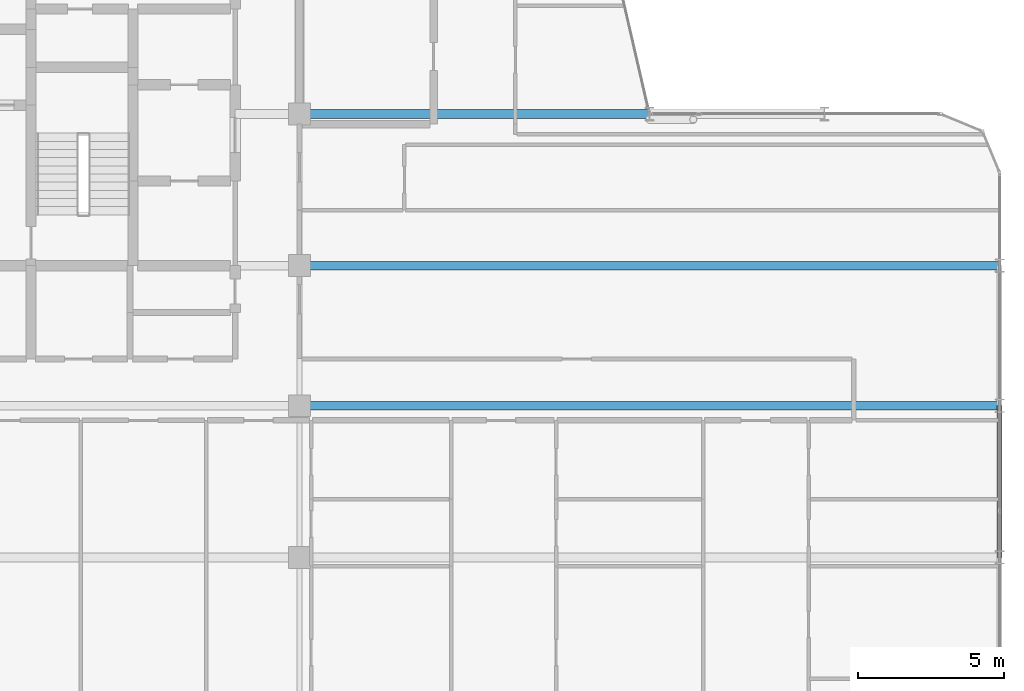
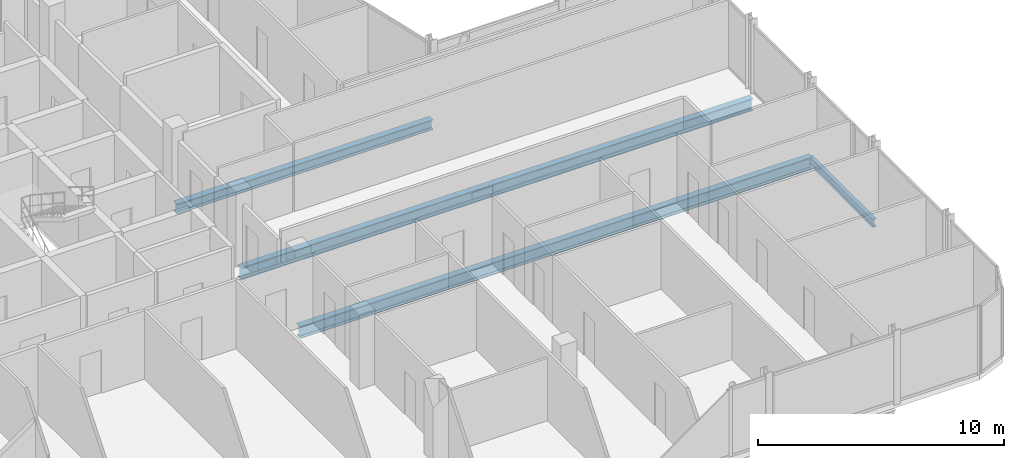
# One storey, part 13 of 29: 4 beams.
"""IFC4 building model written with IfcOpenShell, lengths in metres."""

import ifcopenshell
import ifcopenshell.guid

model = None  # the IFC model being written
_history = None  # IfcOwnerHistory: only IFC2X3 demands one
_inside = {}  # id of a spatial element -> (the spatial element, [elements in it])
_under = {}  # id of a project, library or spatial element -> (it, [spatial elements below it])
_declared = {}  # id of a project -> (the project, [libraries it declares])
_typed = {}  # id of a type object -> (the type object, [elements of that type])
_made_of = {}  # id of a material, layer set ... -> (it, [elements and type objects made of it])


def new_model(schema):
    """Start an empty IFC model of exactly this schema.

    Asked for "IFC4X3", IfcOpenShell would pick the latest addendum, in which some entities
    have other attributes; the version numbers below select the first issue.
    IFC2X3 requires an IfcOwnerHistory on every rooted entity: one is made here for all.
    """
    global model, _history
    if schema == "IFC4X3":
        model = ifcopenshell.file(schema_version=(4, 3, 0, 0))
    else:
        model = ifcopenshell.file(schema=schema)
    _inside.clear()
    _under.clear()
    _declared.clear()
    _typed.clear()
    _made_of.clear()
    _history = None
    if model.schema == "IFC2X3":
        org = make("IfcOrganization", Name="unknown")
        user = make(
            "IfcPersonAndOrganization",
            ThePerson=make("IfcPerson", FamilyName="unknown"),
            TheOrganization=org,
        )
        app = make(
            "IfcApplication",
            ApplicationDeveloper=org,
            Version="unknown",
            ApplicationFullName="unknown",
            ApplicationIdentifier="unknown",
        )
        _history = make(
            "IfcOwnerHistory",
            OwningUser=user,
            OwningApplication=app,
            ChangeAction="ADDED",
            CreationDate=0,
        )
    return model


def make(cls, **values):
    """One entity of the class cls with the attributes given. An attribute that is None is left unset."""
    return model.create_entity(
        cls, **{name: value for name, value in values.items() if value is not None}
    )


def rooted(cls, **values):
    """An entity with a GlobalId (a new one), such as an element, a storey or a relation."""
    return make(cls, GlobalId=ifcopenshell.guid.new(), OwnerHistory=_history, **values)


def si_unit(unit_type, name, prefix=None):
    """IfcSIUnit, for example si_unit("LENGTHUNIT", "METRE", prefix="MILLI")."""
    return make("IfcSIUnit", UnitType=unit_type, Prefix=prefix, Name=name)


def assignment(units):
    """IfcUnitAssignment: the units of a project."""
    return None if units is None else make("IfcUnitAssignment", Units=units)


def point(xyz):
    """IfcCartesianPoint."""
    return None if xyz is None else make("IfcCartesianPoint", Coordinates=xyz)


def direction(xyz):
    """IfcDirection."""
    return None if xyz is None else make("IfcDirection", DirectionRatios=xyz)


def frame(location, z_axis=None, x_axis=None):
    """IfcAxis2Placement3D, a coordinate frame: its origin and axes. An axis left out is left unset."""
    return make(
        "IfcAxis2Placement3D",
        Location=point(location),
        Axis=direction(z_axis),
        RefDirection=direction(x_axis),
    )


def frame_2d(location, x_axis=None):
    """IfcAxis2Placement2D, a coordinate frame in the plane: its origin and x axis."""
    return make(
        "IfcAxis2Placement2D", Location=point(location), RefDirection=direction(x_axis)
    )


def origin():
    """The frame at (0, 0, 0) with its axes left unset."""
    return frame((0.0, 0.0, 0.0))


def origin_2d():
    """The frame at (0, 0) in the plane with its x axis left unset."""
    return frame_2d((0.0, 0.0))


def place(relative_to, where):
    """IfcLocalPlacement: puts the frame where relative to a parent placement (None: the world)."""
    return make(
        "IfcLocalPlacement", PlacementRelTo=relative_to, RelativePlacement=where
    )


def context(
    kind, dimensions, precision=None, world=None, true_north=None, identifier=None
):
    """IfcGeometricRepresentationContext, for example the 3D "Model" context."""
    return make(
        "IfcGeometricRepresentationContext",
        ContextIdentifier=identifier,
        ContextType=kind,
        CoordinateSpaceDimension=dimensions,
        Precision=precision,
        WorldCoordinateSystem=world,
        TrueNorth=true_north,
    )


def subcontext(parent, identifier, kind, view, scale=None):
    """IfcGeometricRepresentationSubContext, for example "Body" below "Model"."""
    return make(
        "IfcGeometricRepresentationSubContext",
        ContextIdentifier=identifier,
        ContextType=kind,
        ParentContext=parent,
        TargetScale=scale,
        TargetView=view,
    )


def project(units=None, contexts=None):
    """IfcProject with its units and contexts."""
    return rooted(
        "IfcProject",
        Name="project",
        RepresentationContexts=contexts,
        UnitsInContext=assignment(units),
    )


def spatial(cls, under=None, at=None, **own):
    """A site, building, storey or space (cls), placed at a placement, below another one or the project."""
    s = rooted(cls, ObjectPlacement=at, **own)
    if under is not None:
        _under.setdefault(under.id(), (under, []))[1].append(s)
    return s


def profile(cls, at=None, kind="AREA", **sizes):
    """A parametric profile (cls). Its sizes go by their IFC names, for example OverallWidth=200.0."""
    return make(cls, ProfileType=kind, Position=at, **sizes)


def i_section(**sizes):
    """IfcIShapeProfileDef."""
    return profile("IfcIShapeProfileDef", **sizes)


def extrude(swept, where, along, depth):
    """IfcExtrudedAreaSolid: the profile swept, set in the frame where, extruded along a direction by depth."""
    return make(
        "IfcExtrudedAreaSolid",
        SweptArea=swept,
        Position=where,
        ExtrudedDirection=direction(along),
        Depth=depth,
    )


def shape(context_of_items, identifier, shape_type, items):
    """IfcShapeRepresentation: the items that make up one representation, for example the "Body"."""
    return make(
        "IfcShapeRepresentation",
        ContextOfItems=context_of_items,
        RepresentationIdentifier=identifier,
        RepresentationType=shape_type,
        Items=items,
    )


def material(Name=None, Category=None):
    """IfcMaterial."""
    return make("IfcMaterial", Name=Name, Category=Category)


def material_profile(
    of_material, cross_section, Name=None, Category=None, Priority=None
):
    """IfcMaterialProfile: a cross section and its material."""
    return make(
        "IfcMaterialProfile",
        Name=Name,
        Material=of_material,
        Profile=cross_section,
        Priority=Priority,
        Category=Category,
    )


def profile_set(profiles, Name=None, composite=None):
    """IfcMaterialProfileSet."""
    return make(
        "IfcMaterialProfileSet",
        Name=Name,
        MaterialProfiles=profiles,
        CompositeProfile=composite,
    )


def made_of(thing, what):
    """Note that an element or type object is made of a material, layer set ...; save() writes the relation."""
    if what is not None:
        _made_of.setdefault(what.id(), (what, []))[1].append(thing)
    return thing


def type_object(cls, material=None, **own):
    """A type object (cls), such as IfcWallType, which elements share."""
    return made_of(rooted(cls, **own), material)


def element(
    cls,
    number,
    at=None,
    inside=None,
    cuts=None,
    type_object=None,
    material=None,
    context=None,
    identifier="Body",
    shape_type=None,
    held_by="IfcProductDefinitionShape",
    body=None,
    shapes=None,
    **own,
):
    """One element of the class cls, such as IfcWall. Its Tag is "e" and its number.

    at: its placement. inside: the storey or other place that contains it. cuts: it is an
    opening in that element (IfcRelVoidsElement). A single representation is given by context,
    identifier, shape_type and body (its items); several are given by shapes. held_by: the class
    of the entity that holds the representations. save() writes the other relations.
    """
    e = rooted(cls, Tag="e%d" % number, ObjectPlacement=at, **own)
    if body is not None:
        shapes = [shape(context, identifier, shape_type, body)]
    if shapes is not None:
        e.Representation = make(held_by, Representations=shapes)
    if inside is not None:
        _inside.setdefault(inside.id(), (inside, []))[1].append(e)
    if cuts is not None:
        rooted(
            "IfcRelVoidsElement", RelatingBuildingElement=cuts, RelatedOpeningElement=e
        )
    if type_object is not None:
        _typed.setdefault(type_object.id(), (type_object, []))[1].append(e)
    return made_of(e, material)


def aggregate(whole, parts):
    """IfcRelAggregates: a whole, such as a stair, and the parts it consists of."""
    return rooted("IfcRelAggregates", RelatingObject=whole, RelatedObjects=parts)


def save(model, path):
    """Write the relations noted so far, then the file.

    IfcRelAggregates (storeys below a building ...), IfcRelContainedInSpatialStructure (elements
    in a storey), IfcRelDefinesByType, IfcRelAssociatesMaterial and IfcRelDeclares: one each for
    every whole, place, type object, material and project.
    """
    for whole, parts in _under.values():
        aggregate(whole, parts)
    for where, things in _inside.values():
        rooted(
            "IfcRelContainedInSpatialStructure",
            RelatedElements=things,
            RelatingStructure=where,
        )
    for kind, things in _typed.values():
        rooted("IfcRelDefinesByType", RelatedObjects=things, RelatingType=kind)
    for what, things in _made_of.values():
        rooted("IfcRelAssociatesMaterial", RelatedObjects=things, RelatingMaterial=what)
    for by, libraries in _declared.values():
        rooted("IfcRelDeclares", RelatingContext=by, RelatedDefinitions=libraries)
    model.write(path)


model = new_model("IFC4")

# Units and contexts
model_context = context("Model", 3, precision=1e-05, world=origin(), true_north=direction((0.0, 1.0)))
body_context = subcontext(model_context, "Body", "Model", "MODEL_VIEW")
ifc_project = project(units=[si_unit("LENGTHUNIT", "METRE"), si_unit("AREAUNIT", "SQUARE_METRE"), si_unit("VOLUMEUNIT", "CUBIC_METRE"), si_unit("PLANEANGLEUNIT", "RADIAN"), si_unit("MASSUNIT", "GRAM", prefix="KILO")], contexts=[model_context])

# Site, building, storey
site_placement = place(None, origin())
site = spatial("IfcSite", under=ifc_project, at=site_placement, CompositionType="ELEMENT")
building_placement = place(site_placement, origin())
building = spatial("IfcBuilding", under=site, at=building_placement, Name="Keshet Zoharim Tower", CompositionType="ELEMENT")
storey_placement = place(building_placement, frame((0.0, 0.0, 230.199951171875)))
storey = spatial("IfcBuildingStorey", under=building, at=storey_placement, Name="L57", CompositionType="ELEMENT", Elevation=230.199951171875)

# Beams
ifc_material = material(Name="Steel S355", Category="steel")
ifc_material_profile_1 = material_profile(ifc_material, i_section(OverallWidth=0.300048828125, OverallDepth=0.60009765625, WebThickness=0.015380859375, FlangeThickness=0.030029296875, FilletRadius=0.027099609375, at=origin_2d()), Name="HEB600")
ifc_profile_set_1 = profile_set([ifc_material_profile_1], Name="Steel S355")
beam_type_1 = type_object("IfcBeamType", Name="BM-LNG-HB600", PredefinedType="BEAM", material=ifc_profile_set_1)
for number, where, z_axis, x_axis, name in (
    (1, (33.0, 17.89990234375, -0.60986328125), (1.0, 0.0, 0.0), (0.0, 1.0, 0.0), "L57 Primary Girder X-013"),
    (2, (33.0, 22.699951171875, -0.60986328125), (1.0, 0.0, 0.0), (0.0, 1.0, 0.0), "L57 Primary Girder X-014"),
):
    element("IfcBeam", number, at=place(storey_placement, frame(where, z_axis=z_axis, x_axis=x_axis)), inside=storey, type_object=beam_type_1, Name=name, PredefinedType="BEAM", context=body_context, shape_type="SweptSolid", body=[
        extrude(i_section(OverallWidth=0.300048828125, OverallDepth=0.60009765625, WebThickness=0.015380859375, FlangeThickness=0.030029296875, FilletRadius=0.027099609375, at=origin_2d()), origin(), (0.0, 0.0, 1.0), 24.0),
    ])
ifc_material_profile_2 = material_profile(ifc_material, i_section(OverallWidth=0.300048828125, OverallDepth=0.5, WebThickness=0.014404296875, FlangeThickness=0.028076171875, FilletRadius=0.027099609375, at=origin_2d()), Name="HEB500")
ifc_profile_set_2 = profile_set([ifc_material_profile_2], Name="Steel S355")
beam_type_2 = type_object("IfcBeamType", Name="BM-MED-HB500", PredefinedType="BEAM", material=ifc_profile_set_2)
beam_1_placement = place(storey_placement, frame((33.0, 27.89990234375, -0.56005859375), z_axis=(1.0, 0.0, 0.0), x_axis=(0.0, 1.0, 0.0)))
element("IfcBeam", 3, at=beam_1_placement, inside=storey, type_object=beam_type_2, Name="L57 Primary Girder X-015", PredefinedType="BEAM", context=body_context, shape_type="SweptSolid", body=[
    extrude(i_section(OverallWidth=0.300048828125, OverallDepth=0.5, WebThickness=0.014404296875, FlangeThickness=0.028076171875, FilletRadius=0.027099609375, at=origin_2d()), origin(), (0.0, 0.0, 1.0), 12.0),
])
ifc_material_profile_3 = material_profile(ifc_material, i_section(OverallWidth=0.179931640625, OverallDepth=0.39990234375, WebThickness=0.008544921875, FlangeThickness=0.013427734375, FilletRadius=0.02099609375, at=origin_2d()), Name="IPE400")
ifc_profile_set_3 = profile_set([ifc_material_profile_3], Name="Steel S355")
beam_type_3 = type_object("IfcBeamType", Name="BM-PRI-IP400", PredefinedType="BEAM", material=ifc_profile_set_3)
beam_2_placement = place(storey_placement, frame((57.0, 12.699951171875, -0.510009765625), z_axis=(0.0, 1.0, 0.0), x_axis=(-1.0, 0.0, 0.0)))
element("IfcBeam", 4, at=beam_2_placement, inside=storey, type_object=beam_type_3, Name="L57 Primary Girder Y-014", PredefinedType="BEAM", context=body_context, shape_type="SweptSolid", body=[
    extrude(i_section(OverallWidth=0.179931640625, OverallDepth=0.39990234375, WebThickness=0.008544921875, FlangeThickness=0.013427734375, FilletRadius=0.02099609375, at=origin_2d()), origin(), (0.0, 0.0, 1.0), 5.199951171875),
])

save(model, "model.ifc")
